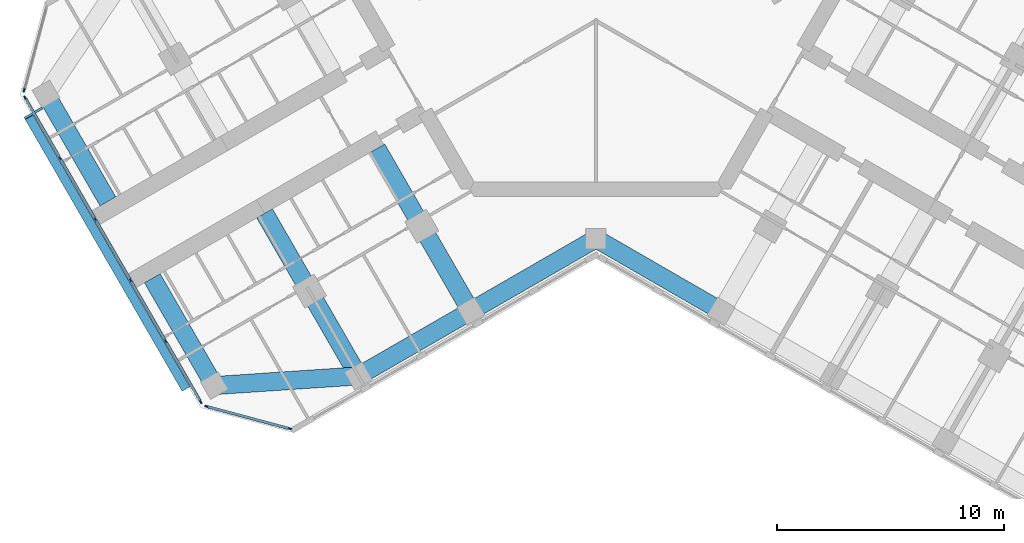
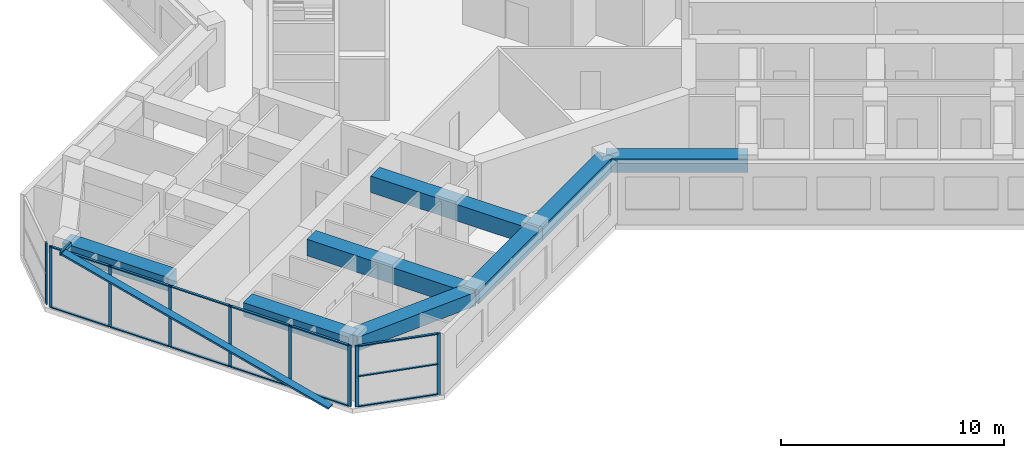
# One storey, part 2 of 16: 24 members, 8 beams, 3 elements without a shape of their own.
"""IFC4 building model written with IfcOpenShell, lengths in metres."""

from ifc_helpers import new_model, si_unit, direction, frame, origin, origin_2d, place, context, subcontext, project, spatial, rectangle, hollow_rectangle, extrude, material, material_profile, profile_set, type_object, element, aggregate, save


model = new_model("IFC4")

# Units and contexts
model_context = context("Model", 3, precision=1e-05, world=origin(), true_north=direction((0.0, 1.0)))
body_context = subcontext(model_context, "Body", "Model", "MODEL_VIEW")
ifc_project = project(units=[si_unit("LENGTHUNIT", "METRE"), si_unit("AREAUNIT", "SQUARE_METRE"), si_unit("VOLUMEUNIT", "CUBIC_METRE"), si_unit("PLANEANGLEUNIT", "RADIAN"), si_unit("MASSUNIT", "GRAM", prefix="KILO")], contexts=[model_context])

# Site, building, storey
site_placement = place(None, origin())
site = spatial("IfcSite", under=ifc_project, at=site_placement, CompositionType="ELEMENT")
building_placement = place(site_placement, origin())
building = spatial("IfcBuilding", under=site, at=building_placement, Name="Kosmar Iwan School Tower", CompositionType="ELEMENT")
storey_placement = place(building_placement, frame((0.0, 0.0, 219.0)))
storey = spatial("IfcBuildingStorey", under=building, at=storey_placement, Name="L55", CompositionType="ELEMENT", Elevation=219.0)

# Members
ifc_material_1 = material(Name="Black anodised aluminium", Category="aluminium")
ifc_material_profile_1 = material_profile(ifc_material_1, rectangle(XDim=0.10009765625, YDim=0.39990234375, at=origin_2d()), Name="FIN 100x400")
ifc_profile_set_1 = profile_set([ifc_material_profile_1], Name="Black anodised aluminium")
member_type_1 = type_object("IfcMemberType", Name="Diagonal fin 100x400", PredefinedType="USERDEFINED", material=ifc_profile_set_1)
member_1_placement = place(storey_placement, frame((-18.0283203125, -18.3740234375, -0.14990234375), z_axis=(-0.483802480126, 0.837968840024, 0.252474520243), x_axis=(0.126237445008, -0.218649241594, 0.967603543104)))
element("IfcMember", 1, at=member_1_placement, inside=storey, type_object=member_type_1, Name="Diagonal fin L55-F11", ObjectType="FIN", PredefinedType="USERDEFINED", context=body_context, shape_type="SweptSolid", body=[
    extrude(rectangle(XDim=0.10009765625, YDim=0.39990234375, at=origin_2d()), origin(), (0.0, 0.0, 1.0), 14.25830078125),
])
ifc_material_2 = material(Name="Steel S355", Category="steel")
ifc_material_profile_2 = material_profile(ifc_material_2, hollow_rectangle(XDim=0.10009765625, YDim=0.199951171875, WallThickness=0.008056640625, at=origin_2d()), Name="RHS 200x100x8")
ifc_profile_set_2 = profile_set([ifc_material_profile_2], Name="Steel S355")
member_type_2 = type_object("IfcMemberType", Name="Fin bracket RHS 200x100", PredefinedType="USERDEFINED", material=ifc_profile_set_2)
member_2_placement = place(storey_placement, frame((-24.34619140625, -6.031005859375, 3.47509765625), z_axis=(-0.865964261186, -0.500105887137, 0.0), x_axis=(0.500105887137, -0.865964261186, 0.0)))
element("IfcMember", 2, at=member_2_placement, inside=storey, type_object=member_type_2, Name="Fin bracket L56", ObjectType="FIN BRACKET", PredefinedType="USERDEFINED", context=body_context, shape_type="SweptSolid", body=[
    extrude(hollow_rectangle(XDim=0.10009765625, YDim=0.199951171875, WallThickness=0.008056640625, at=origin_2d()), origin(), (0.0, 0.0, 1.0), 0.900146484375),
])

# Curtain wall, member
ifc_material_3 = material(Name="Dark glass in black aluminium frame", Category="aluminium")
curtain_wall_type_1 = type_object("IfcCurtainWallType", Name="Chamfer curtain wall dark glass", PredefinedType="USERDEFINED", material=ifc_material_3)
curtain_wall_1_placement = place(storey_placement, origin())
curtain_wall_1 = element("IfcCurtainWall", 3, at=curtain_wall_1_placement, inside=storey, type_object=curtain_wall_type_1, Name="Curtain wall L55-F10", ObjectType="FACETED CURTAIN WALL", PredefinedType="USERDEFINED")
ifc_material_4 = material(Name="Black anodised aluminium", Category="aluminium")
ifc_material_profile_3 = material_profile(ifc_material_4, rectangle(XDim=0.06005859375, YDim=0.159912109375, at=origin_2d()), Name="MULLION 60x160")
ifc_profile_set_3 = profile_set([ifc_material_profile_3], Name="Black anodised aluminium")
member_type_3 = type_object("IfcMemberType", Name="Mullion 60x160", PredefinedType="MULLION", material=ifc_profile_set_3)
member_3_placement = place(storey_placement, frame((-25.141845703125, -5.24853515625, 0.0), z_axis=(0.0, 0.0, 1.0), x_axis=(0.965925875495, -0.258818861462, 0.0)))
member_3 = element("IfcMember", 4, at=member_3_placement, type_object=member_type_3, Name="CW2 mullion 2", PredefinedType="MULLION", context=body_context, shape_type="SweptSolid", body=[
    extrude(rectangle(XDim=0.06005859375, YDim=0.159912109375, at=origin_2d()), origin(), (0.0, 0.0, 1.0), 3.35009765625),
])
aggregate(curtain_wall_1, [member_3])

# Curtain wall, members
ifc_material_5 = material(Name="Dark glass in black aluminium frame", Category="aluminium")
curtain_wall_type_2 = type_object("IfcCurtainWallType", Name="Tower curtain wall dark glass", PredefinedType="USERDEFINED", material=ifc_material_5)
curtain_wall_2_placement = place(storey_placement, origin())
curtain_wall_2 = element("IfcCurtainWall", 5, at=curtain_wall_2_placement, inside=storey, type_object=curtain_wall_type_2, Name="Curtain wall L55-F11", ObjectType="UNITISED CURTAIN WALL", PredefinedType="USERDEFINED")
member_4_placement = place(storey_placement, frame((-25.098388671875, -5.578369140625, 0.0), z_axis=(0.0, 0.0, 1.0), x_axis=(0.866025405329, 0.499999997325, 0.0)))
member_4 = element("IfcMember", 6, at=member_4_placement, type_object=member_type_3, Name="CW1 mullion 1", PredefinedType="MULLION", context=body_context, shape_type="SweptSolid", body=[
    extrude(rectangle(XDim=0.06005859375, YDim=0.159912109375, at=origin_2d()), origin(), (0.0, 0.0, 1.0), 3.35009765625),
])
member_5_placement = place(storey_placement, frame((-23.563720703125, -8.236328125, 0.0), z_axis=(0.0, 0.0, 1.0), x_axis=(0.866025405329, 0.499999997325, 0.0)))
member_5 = element("IfcMember", 7, at=member_5_placement, type_object=member_type_3, Name="CW1 mullion 2", PredefinedType="MULLION", context=body_context, shape_type="SweptSolid", body=[
    extrude(rectangle(XDim=0.06005859375, YDim=0.159912109375, at=origin_2d()), origin(), (0.0, 0.0, 1.0), 3.35009765625),
])
member_6_placement = place(storey_placement, frame((-22.01416015625, -10.92041015625, 0.0), z_axis=(0.0, 0.0, 1.0), x_axis=(0.866025405329, 0.499999997325, 0.0)))
member_6 = element("IfcMember", 8, at=member_6_placement, type_object=member_type_3, Name="CW1 mullion 3", PredefinedType="MULLION", context=body_context, shape_type="SweptSolid", body=[
    extrude(rectangle(XDim=0.06005859375, YDim=0.159912109375, at=origin_2d()), origin(), (0.0, 0.0, 1.0), 3.35009765625),
])
member_7_placement = place(storey_placement, frame((-20.46435546875, -13.6044921875, 0.0), z_axis=(0.0, 0.0, 1.0), x_axis=(0.866025405329, 0.499999997325, 0.0)))
member_7 = element("IfcMember", 9, at=member_7_placement, type_object=member_type_3, Name="CW1 mullion 4", PredefinedType="MULLION", context=body_context, shape_type="SweptSolid", body=[
    extrude(rectangle(XDim=0.06005859375, YDim=0.159912109375, at=origin_2d()), origin(), (0.0, 0.0, 1.0), 3.35009765625),
])
member_8_placement = place(storey_placement, frame((-18.914794921875, -16.28857421875, 0.0), z_axis=(0.0, 0.0, 1.0), x_axis=(0.866025405329, 0.499999997325, 0.0)))
member_8 = element("IfcMember", 10, at=member_8_placement, type_object=member_type_3, Name="CW1 mullion 5", PredefinedType="MULLION", context=body_context, shape_type="SweptSolid", body=[
    extrude(rectangle(XDim=0.06005859375, YDim=0.159912109375, at=origin_2d()), origin(), (0.0, 0.0, 1.0), 3.35009765625),
])
member_9_placement = place(storey_placement, frame((-17.380126953125, -18.94677734375, 0.0), z_axis=(0.0, 0.0, 1.0), x_axis=(0.866025405329, 0.499999997325, 0.0)))
member_9 = element("IfcMember", 11, at=member_9_placement, type_object=member_type_3, Name="CW1 mullion 6", PredefinedType="MULLION", context=body_context, shape_type="SweptSolid", body=[
    extrude(rectangle(XDim=0.06005859375, YDim=0.159912109375, at=origin_2d()), origin(), (0.0, 0.0, 1.0), 3.35009765625),
])

curtain_wall_3_placement = place(storey_placement, origin())
curtain_wall_3 = element("IfcCurtainWall", 12, at=curtain_wall_3_placement, inside=storey, type_object=curtain_wall_type_1, Name="Curtain wall L55-F12", ObjectType="FACETED CURTAIN WALL", PredefinedType="USERDEFINED")
member_10_placement = place(storey_placement, frame((-17.1162109375, -19.149169921875, 0.0), z_axis=(0.0, 0.0, 1.0), x_axis=(0.258818861462, 0.965925875495, 0.0)))
member_10 = element("IfcMember", 13, at=member_10_placement, type_object=member_type_3, Name="CW2 mullion 1", PredefinedType="MULLION", context=body_context, shape_type="SweptSolid", body=[
    extrude(rectangle(XDim=0.06005859375, YDim=0.159912109375, at=origin_2d()), origin(), (0.0, 0.0, 1.0), 3.35009765625),
])
member_11_placement = place(storey_placement, frame((-13.466064453125, -20.127197265625, 0.0), z_axis=(0.0, 0.0, 1.0), x_axis=(0.258818861462, 0.965925875495, 0.0)))
member_11 = element("IfcMember", 14, at=member_11_placement, type_object=member_type_3, Name="CW2 mullion 2", PredefinedType="MULLION", context=body_context, shape_type="SweptSolid", body=[
    extrude(rectangle(XDim=0.06005859375, YDim=0.159912109375, at=origin_2d()), origin(), (0.0, 0.0, 1.0), 3.35009765625),
])

# Beams
ifc_material_6 = material(Name="Concrete C50/60", Category="concrete")
ifc_material_profile_4 = material_profile(ifc_material_6, rectangle(XDim=0.800048828125, YDim=0.75, at=origin_2d()), Name="RC 800x750")
ifc_profile_set_4 = profile_set([ifc_material_profile_4], Name="Concrete C50/60")
beam_type_1 = type_object("IfcBeamType", Name="RC edge beam 800x750", PredefinedType="BEAM", material=ifc_profile_set_4)
beam_1_placement = place(storey_placement, frame((0.0, -11.77783203125, 2.97509765625), z_axis=(-0.866014293216, -0.500019243575, 0.0), x_axis=(0.500019243575, -0.866014293216, 0.0)))
element("IfcBeam", 15, at=beam_1_placement, inside=storey, type_object=beam_type_1, Name="Edge beam BL1", PredefinedType="BEAM", context=body_context, shape_type="SweptSolid", body=[
    extrude(rectangle(XDim=0.800048828125, YDim=0.75, at=origin_2d()), origin(), (0.0, 0.0, 1.0), 6.361083984375),
])
beam_2_placement = place(storey_placement, frame((-5.5087890625, -14.95849609375, 2.97509765625), z_axis=(-0.866033658841, -0.49998570155, 0.0), x_axis=(0.49998570155, -0.866033658841, 0.0)))
element("IfcBeam", 16, at=beam_2_placement, inside=storey, type_object=beam_type_1, Name="Edge beam BL2", PredefinedType="BEAM", context=body_context, shape_type="SweptSolid", body=[
    extrude(rectangle(XDim=0.800048828125, YDim=0.75, at=origin_2d()), origin(), (0.0, 0.0, 1.0), 5.699951171875),
])
beam_3_placement = place(storey_placement, frame((0.0, -11.77783203125, 2.97509765625), z_axis=(0.866014293216, -0.500019243575, 0.0), x_axis=(0.500019243575, 0.866014293216, 0.0)))
element("IfcBeam", 17, at=beam_3_placement, inside=storey, type_object=beam_type_1, Name="Edge beam CR1", PredefinedType="BEAM", context=body_context, shape_type="SweptSolid", body=[
    extrude(rectangle(XDim=0.800048828125, YDim=0.75, at=origin_2d()), origin(), (0.0, 0.0, 1.0), 6.361083984375),
])
ifc_material_7 = material(Name="Concrete C50/60", Category="concrete")
ifc_material_profile_5 = material_profile(ifc_material_7, rectangle(XDim=0.800048828125, YDim=0.75, at=origin_2d()), Name="RC 800x750")
ifc_profile_set_5 = profile_set([ifc_material_profile_5], Name="Concrete C50/60")
beam_type_2 = type_object("IfcBeamType", Name="RC tip beam 800x750", PredefinedType="BEAM", material=ifc_profile_set_5)
beam_4_placement = place(storey_placement, frame((-10.445068359375, -17.808349609375, 2.97509765625), z_axis=(-0.997755118724, -0.066968074933, 0.0), x_axis=(0.066968074933, -0.997755118724, 0.0)))
element("IfcBeam", 18, at=beam_4_placement, inside=storey, type_object=beam_type_2, Name="Tip beam BL", PredefinedType="BEAM", context=body_context, shape_type="SweptSolid", body=[
    extrude(rectangle(XDim=0.800048828125, YDim=0.75, at=origin_2d()), origin(), (0.0, 0.0, 1.0), 6.3505859375),
])
beam_5_placement = place(storey_placement, frame((-16.781494140625, -18.233642578125, 2.97509765625), z_axis=(-0.500002931134, 0.866023711487, 0.0), x_axis=(-0.866023711487, -0.500002931134, 0.0)))
element("IfcBeam", 19, at=beam_5_placement, inside=storey, type_object=beam_type_2, Name="Tip beam BL to corridor wall", PredefinedType="BEAM", context=body_context, shape_type="SweptSolid", body=[
    extrude(rectangle(XDim=0.800048828125, YDim=0.75, at=origin_2d()), origin(), (0.0, 0.0, 1.0), 5.4501953125),
])
beam_6_placement = place(storey_placement, frame((-24.181396484375, -5.41650390625, 2.97509765625), z_axis=(0.499988730927, -0.866031909889, 0.0), x_axis=(0.866031909889, 0.499988730927, 0.0)))
element("IfcBeam", 20, at=beam_6_placement, inside=storey, type_object=beam_type_2, Name="Tip beam BR to corridor wall", PredefinedType="BEAM", context=body_context, shape_type="SweptSolid", body=[
    extrude(rectangle(XDim=0.800048828125, YDim=0.75, at=origin_2d()), origin(), (0.0, 0.0, 1.0), 5.449951171875),
])
ifc_material_8 = material(Name="Concrete C50/60", Category="concrete")
ifc_material_profile_6 = material_profile(ifc_material_8, rectangle(XDim=0.800048828125, YDim=0.89990234375, at=origin_2d()), Name="RC 800x900")
ifc_profile_set_6 = profile_set([ifc_material_profile_6], Name="Concrete C50/60")
beam_type_3 = type_object("IfcBeamType", Name="RC transverse beam 800x900", PredefinedType="BEAM", material=ifc_profile_set_6)
beam_7_placement = place(storey_placement, frame((-5.5087890625, -14.95849609375, 2.89990234375), z_axis=(-0.499996545922, 0.866027397988, 0.0), x_axis=(-0.866027397988, -0.499996545922, 0.0)))
element("IfcBeam", 21, at=beam_7_placement, inside=storey, type_object=beam_type_3, Name="Transverse beam BL1", PredefinedType="BEAM", context=body_context, shape_type="SweptSolid", body=[
    extrude(rectangle(XDim=0.800048828125, YDim=0.89990234375, at=origin_2d()), origin(), (0.0, 0.0, 1.0), 8.25),
])
beam_8_placement = place(storey_placement, frame((-10.445068359375, -17.808349609375, 2.89990234375), z_axis=(-0.500009360108, 0.866019999656, 0.0), x_axis=(-0.866019999656, -0.500009360108, 0.0)))
element("IfcBeam", 22, at=beam_8_placement, inside=storey, type_object=beam_type_3, Name="Transverse beam BL2", PredefinedType="BEAM", context=body_context, shape_type="SweptSolid", body=[
    extrude(rectangle(XDim=0.800048828125, YDim=0.89990234375, at=origin_2d()), origin(), (0.0, 0.0, 1.0), 8.249755859375),
])

# Member
ifc_material_9 = material(Name="Black anodised aluminium", Category="aluminium")
ifc_material_profile_7 = material_profile(ifc_material_9, rectangle(XDim=0.1201171875, YDim=0.06005859375, at=origin_2d()), Name="TRANSOM 60x120")
ifc_profile_set_7 = profile_set([ifc_material_profile_7], Name="Black anodised aluminium")
member_type_4 = type_object("IfcMemberType", Name="Transom 60x120", PredefinedType="USERDEFINED", material=ifc_profile_set_7)
member_12_placement = place(storey_placement, frame((-25.08349609375, -5.604248046875, 0.030029296875), z_axis=(0.499986971506, -0.866032925658, 0.0), x_axis=(0.866032925658, 0.499986971506, 0.0)))
member_12 = element("IfcMember", 23, at=member_12_placement, type_object=member_type_4, Name="CW1 transom 1.1", ObjectType="TRANSOM", PredefinedType="USERDEFINED", context=body_context, shape_type="SweptSolid", body=[
    extrude(rectangle(XDim=0.1201171875, YDim=0.06005859375, at=origin_2d()), origin(), (0.0, 0.0, 1.0), 3.00927734375),
])

member_13_placement = place(storey_placement, frame((-25.08349609375, -5.604248046875, 3.320068359375), z_axis=(0.499986971506, -0.866032925658, 0.0), x_axis=(0.866032925658, 0.499986971506, 0.0)))
member_13 = element("IfcMember", 24, at=member_13_placement, type_object=member_type_4, Name="CW1 transom 1.2", ObjectType="TRANSOM", PredefinedType="USERDEFINED", context=body_context, shape_type="SweptSolid", body=[
    extrude(rectangle(XDim=0.1201171875, YDim=0.06005859375, at=origin_2d()), origin(), (0.0, 0.0, 1.0), 3.00927734375),
])

member_14_placement = place(storey_placement, frame((-23.548828125, -8.262451171875, 0.030029296875), z_axis=(0.500035348339, -0.866004994449, 0.0), x_axis=(0.866004994449, 0.500035348339, 0.0)))
member_14 = element("IfcMember", 25, at=member_14_placement, type_object=member_type_4, Name="CW1 transom 2.1", ObjectType="TRANSOM", PredefinedType="USERDEFINED", context=body_context, shape_type="SweptSolid", body=[
    extrude(rectangle(XDim=0.1201171875, YDim=0.06005859375, at=origin_2d()), origin(), (0.0, 0.0, 1.0), 3.039306640625),
])

member_15_placement = place(storey_placement, frame((-23.548828125, -8.262451171875, 3.320068359375), z_axis=(0.500035348339, -0.866004994449, 0.0), x_axis=(0.866004994449, 0.500035348339, 0.0)))
member_15 = element("IfcMember", 26, at=member_15_placement, type_object=member_type_4, Name="CW1 transom 2.2", ObjectType="TRANSOM", PredefinedType="USERDEFINED", context=body_context, shape_type="SweptSolid", body=[
    extrude(rectangle(XDim=0.1201171875, YDim=0.06005859375, at=origin_2d()), origin(), (0.0, 0.0, 1.0), 3.039306640625),
])

member_16_placement = place(storey_placement, frame((-21.9990234375, -10.946533203125, 0.030029296875), z_axis=(0.499975102327, -0.866039777986, 0.0), x_axis=(0.866039777986, 0.499975102327, 0.0)))
member_16 = element("IfcMember", 27, at=member_16_placement, type_object=member_type_4, Name="CW1 transom 3.1", ObjectType="TRANSOM", PredefinedType="USERDEFINED", context=body_context, shape_type="SweptSolid", body=[
    extrude(rectangle(XDim=0.1201171875, YDim=0.06005859375, at=origin_2d()), origin(), (0.0, 0.0, 1.0), 3.039306640625),
])

member_17_placement = place(storey_placement, frame((-21.9990234375, -10.946533203125, 3.320068359375), z_axis=(0.499975102327, -0.866039777986, 0.0), x_axis=(0.866039777986, 0.499975102327, 0.0)))
member_17 = element("IfcMember", 28, at=member_17_placement, type_object=member_type_4, Name="CW1 transom 3.2", ObjectType="TRANSOM", PredefinedType="USERDEFINED", context=body_context, shape_type="SweptSolid", body=[
    extrude(rectangle(XDim=0.1201171875, YDim=0.06005859375, at=origin_2d()), origin(), (0.0, 0.0, 1.0), 3.039306640625),
])

member_18_placement = place(storey_placement, frame((-20.449462890625, -13.630615234375, 0.030029296875), z_axis=(0.500035348339, -0.866004994449, 0.0), x_axis=(0.866004994449, 0.500035348339, 0.0)))
member_18 = element("IfcMember", 29, at=member_18_placement, type_object=member_type_4, Name="CW1 transom 4.1", ObjectType="TRANSOM", PredefinedType="USERDEFINED", context=body_context, shape_type="SweptSolid", body=[
    extrude(rectangle(XDim=0.1201171875, YDim=0.06005859375, at=origin_2d()), origin(), (0.0, 0.0, 1.0), 3.039306640625),
])

member_19_placement = place(storey_placement, frame((-20.449462890625, -13.630615234375, 3.320068359375), z_axis=(0.500035348339, -0.866004994449, 0.0), x_axis=(0.866004994449, 0.500035348339, 0.0)))
member_19 = element("IfcMember", 30, at=member_19_placement, type_object=member_type_4, Name="CW1 transom 4.2", ObjectType="TRANSOM", PredefinedType="USERDEFINED", context=body_context, shape_type="SweptSolid", body=[
    extrude(rectangle(XDim=0.1201171875, YDim=0.06005859375, at=origin_2d()), origin(), (0.0, 0.0, 1.0), 3.039306640625),
])

member_20_placement = place(storey_placement, frame((-18.89990234375, -16.314697265625, 0.030029296875), z_axis=(0.500022102064, -0.866012642776, 0.0), x_axis=(0.866012642776, 0.500022102064, 0.0)))
member_20 = element("IfcMember", 31, at=member_20_placement, type_object=member_type_4, Name="CW1 transom 5.1", ObjectType="TRANSOM", PredefinedType="USERDEFINED", context=body_context, shape_type="SweptSolid", body=[
    extrude(rectangle(XDim=0.1201171875, YDim=0.06005859375, at=origin_2d()), origin(), (0.0, 0.0, 1.0), 3.009033203125),
])

member_21_placement = place(storey_placement, frame((-18.89990234375, -16.314697265625, 3.320068359375), z_axis=(0.500022102064, -0.866012642776, 0.0), x_axis=(0.866012642776, 0.500022102064, 0.0)))
member_21 = element("IfcMember", 32, at=member_21_placement, type_object=member_type_4, Name="CW1 transom 5.2", ObjectType="TRANSOM", PredefinedType="USERDEFINED", context=body_context, shape_type="SweptSolid", body=[
    extrude(rectangle(XDim=0.1201171875, YDim=0.06005859375, at=origin_2d()), origin(), (0.0, 0.0, 1.0), 3.009033203125),
])

aggregate(curtain_wall_2, [member_4, member_5, member_6, member_7, member_8, member_9, member_12, member_13, member_14, member_15, member_16, member_17, member_18, member_19, member_20, member_21])

member_22_placement = place(storey_placement, frame((-17.08740234375, -19.156982421875, 0.030029296875), z_axis=(0.965940141052, -0.258765615768, 0.0), x_axis=(0.258765615768, 0.965940141052, 0.0)))
member_22 = element("IfcMember", 33, at=member_22_placement, type_object=member_type_4, Name="CW2 transom 1.1", ObjectType="TRANSOM", PredefinedType="USERDEFINED", context=body_context, shape_type="SweptSolid", body=[
    extrude(rectangle(XDim=0.1201171875, YDim=0.06005859375, at=origin_2d()), origin(), (0.0, 0.0, 1.0), 3.71923828125),
])

member_23_placement = place(storey_placement, frame((-17.08740234375, -19.156982421875, 1.675048828125), z_axis=(0.965940141052, -0.258765615768, 0.0), x_axis=(0.258765615768, 0.965940141052, 0.0)))
member_23 = element("IfcMember", 34, at=member_23_placement, type_object=member_type_4, Name="CW2 transom 1.2", ObjectType="TRANSOM", PredefinedType="USERDEFINED", context=body_context, shape_type="SweptSolid", body=[
    extrude(rectangle(XDim=0.1201171875, YDim=0.06005859375, at=origin_2d()), origin(), (0.0, 0.0, 1.0), 3.71923828125),
])

member_24_placement = place(storey_placement, frame((-17.08740234375, -19.156982421875, 3.320068359375), z_axis=(0.965940141052, -0.258765615768, 0.0), x_axis=(0.258765615768, 0.965940141052, 0.0)))
member_24 = element("IfcMember", 35, at=member_24_placement, type_object=member_type_4, Name="CW2 transom 1.3", ObjectType="TRANSOM", PredefinedType="USERDEFINED", context=body_context, shape_type="SweptSolid", body=[
    extrude(rectangle(XDim=0.1201171875, YDim=0.06005859375, at=origin_2d()), origin(), (0.0, 0.0, 1.0), 3.71923828125),
])

aggregate(curtain_wall_3, [member_10, member_11, member_22, member_23, member_24])

save(model, "model.ifc")
